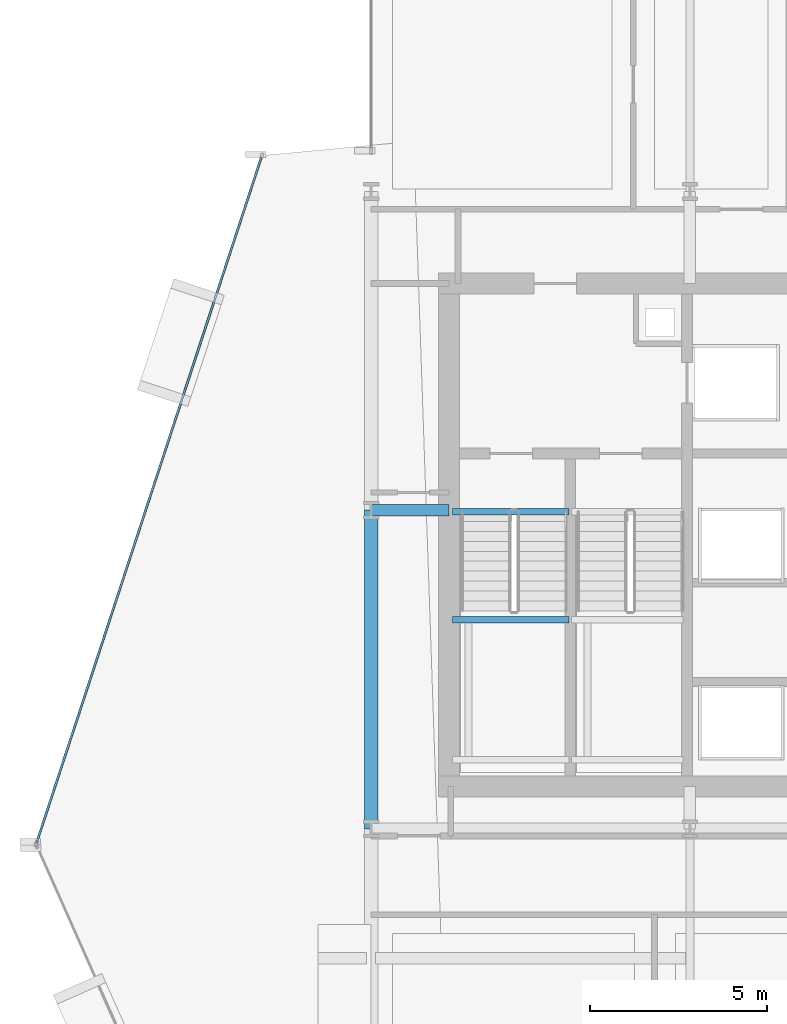
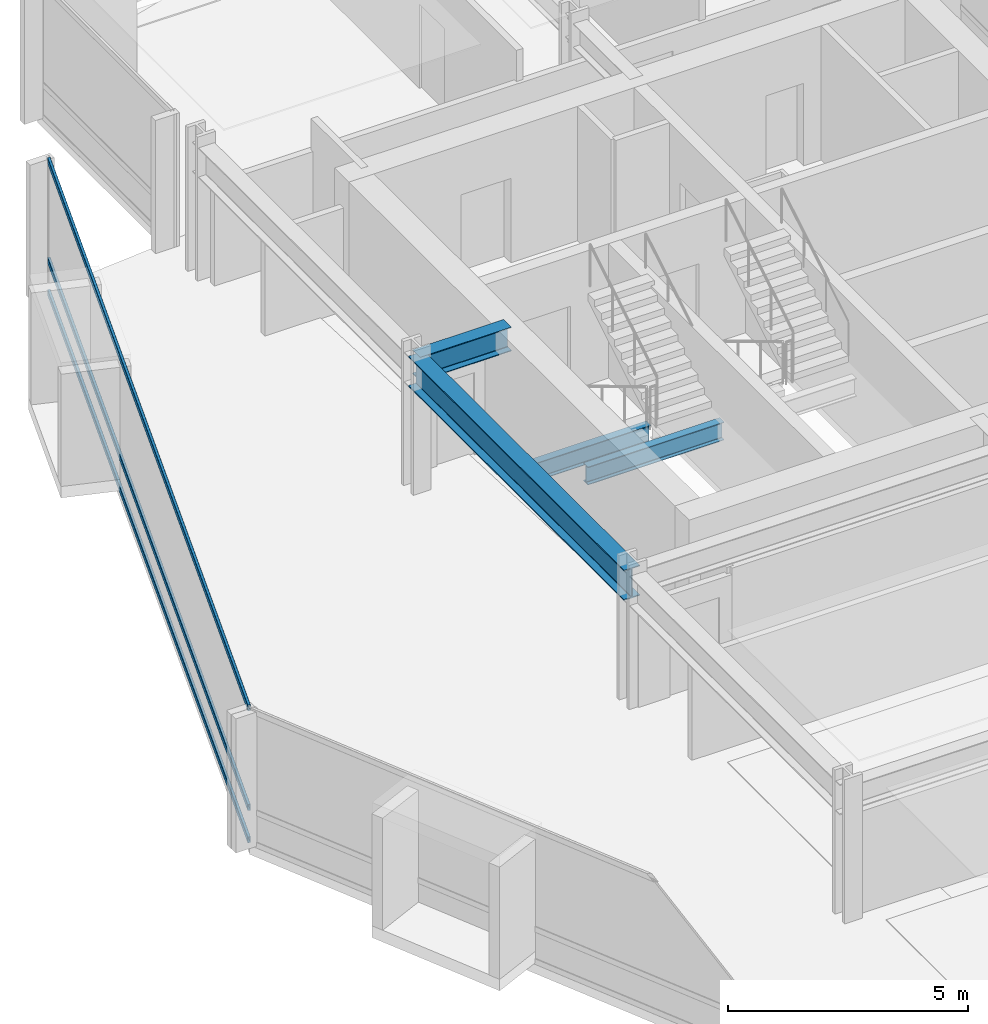
# One storey, part 18 of 34: 4 beams, 3 members, 1 element without a shape of its own.
"""IFC4 building model written with IfcOpenShell, lengths in metres."""

from ifc_helpers import new_model, si_unit, direction, frame, origin, origin_2d, place, context, subcontext, project, spatial, hollow_rectangle, i_section, extrude, material, layer, layer_set, material_profile, profile_set, type_object, element, aggregate, save


model = new_model("IFC4")

# Units and contexts
model_context = context("Model", 3, precision=1e-05, world=origin(), true_north=direction((0.0, 1.0)))
body_context = subcontext(model_context, "Body", "Model", "MODEL_VIEW")
ifc_project = project(units=[si_unit("LENGTHUNIT", "METRE"), si_unit("AREAUNIT", "SQUARE_METRE"), si_unit("VOLUMEUNIT", "CUBIC_METRE"), si_unit("PLANEANGLEUNIT", "RADIAN"), si_unit("MASSUNIT", "GRAM", prefix="KILO")], contexts=[model_context])

# Site, building, storey
site_placement = place(None, origin())
site = spatial("IfcSite", under=ifc_project, at=site_placement, CompositionType="ELEMENT")
building_placement = place(site_placement, origin())
building = spatial("IfcBuilding", under=site, at=building_placement, Name="Solvaryn Broadcast Tower", CompositionType="ELEMENT")
storey_placement = place(building_placement, frame((0.0, 0.0, 50.800048828125)))
storey = spatial("IfcBuildingStorey", under=building, at=storey_placement, Name="L11", CompositionType="ELEMENT", Elevation=50.800048828125)

# Beams
ifc_material_1 = material(Name="Steel ASTM A992 Grade 50", Category="steel")
ifc_material_profile_1 = material_profile(ifc_material_1, i_section(OverallWidth=0.323974609375, OverallDepth=0.611083984375, WebThickness=0.0126953125, FlangeThickness=0.01904296875, FilletRadius=0.014892578125, at=origin_2d()))
ifc_profile_set_1 = profile_set([ifc_material_profile_1], Name="Steel ASTM A992 Grade 50")
beam_type_1 = type_object("IfcBeamType", Name="BM-B1-W24X104", PredefinedType="BEAM", material=ifc_profile_set_1)
beam_1_placement = place(storey_placement, frame((9.0, 36.0, 3.114501953125), z_axis=(1.0, 0.0, 0.0), x_axis=(0.0, 1.0, 0.0)))
element("IfcBeam", 1, at=beam_1_placement, inside=storey, type_object=beam_type_1, Name="L11 Core Tie Beam CTW1", PredefinedType="BEAM", context=body_context, shape_type="SweptSolid", body=[
    extrude(i_section(OverallWidth=0.323974609375, OverallDepth=0.611083984375, WebThickness=0.0126953125, FlangeThickness=0.01904296875, FilletRadius=0.014892578125, at=origin_2d()), origin(), (0.0, 0.0, 1.0), 2.199951171875),
])
ifc_material_2 = material(Name="Steel ASTM A992 Grade 50", Category="steel")
ifc_material_profile_2 = material_profile(ifc_material_2, i_section(OverallWidth=0.18994140625, OverallDepth=0.45703125, WebThickness=0.009033203125, FlangeThickness=0.014404296875, FilletRadius=0.011962890625, at=origin_2d()))
ifc_profile_set_2 = profile_set([ifc_material_profile_2], Name="Steel ASTM A992 Grade 50")
beam_type_2 = type_object("IfcBeamType", Name="BM-B4-W18X50", PredefinedType="BEAM", material=ifc_profile_set_2)
for number, where, z_axis, x_axis, name in (
    (2, (11.300048828125, 35.9599609375, -0.508544921875), (1.0, 0.0, 0.0), (0.0, 1.0, 0.0), "L11 ST1 Stair Well Trimmer Beam"),
    (3, (11.300048828125, 32.909912109375, 1.42138671875), (1.0, 0.0, 0.0), (0.0, 1.0, 0.0), "L11 ST1 Landing Support Beam 1B"),
):
    element("IfcBeam", number, at=place(storey_placement, frame(where, z_axis=z_axis, x_axis=x_axis)), inside=storey, type_object=beam_type_2, Name=name, PredefinedType="BEAM", context=body_context, shape_type="SweptSolid", body=[
        extrude(i_section(OverallWidth=0.18994140625, OverallDepth=0.45703125, WebThickness=0.009033203125, FlangeThickness=0.014404296875, FilletRadius=0.011962890625, at=origin_2d()), origin(), (0.0, 0.0, 1.0), 3.280029296875),
    ])
ifc_material_3 = material(Name="Steel ASTM A992 Grade 50", Category="steel")
ifc_material_profile_3 = material_profile(ifc_material_3, i_section(OverallWidth=0.381103515625, OverallDepth=0.77294921875, WebThickness=0.0166015625, FlangeThickness=0.027099609375, FilletRadius=0.01806640625, at=origin_2d()))
ifc_profile_set_3 = profile_set([ifc_material_profile_3], Name="Steel ASTM A992 Grade 50")
beam_type_3 = type_object("IfcBeamType", Name="BM-SP1-W30X173", PredefinedType="USERDEFINED", material=ifc_profile_set_3)
beam_2_placement = place(storey_placement, frame((9.0, 27.0, 3.033447265625), z_axis=(0.0, 1.0, 0.0), x_axis=(-1.0, 0.0, 0.0)))
element("IfcBeam", 4, at=beam_2_placement, inside=storey, type_object=beam_type_3, Name="L11 Spandrel Beam Y (27-36 @ X=9)", ObjectType="SPANDREL", PredefinedType="USERDEFINED", context=body_context, shape_type="SweptSolid", body=[
    extrude(i_section(OverallWidth=0.381103515625, OverallDepth=0.77294921875, WebThickness=0.0166015625, FlangeThickness=0.027099609375, FilletRadius=0.01806640625, at=origin_2d()), origin(), (0.0, 0.0, 1.0), 9.0),
])

# Curtain wall, members
ifc_material_4 = material(Name="Aluminium and Terracotta Unitised Curtain Wall", Category="masonry")
ifc_layer = layer(ifc_material_4, 0.199951171875)
ifc_layer_set = layer_set([ifc_layer], Name="CW-SYS2-LOWMID")
curtain_wall_type = type_object("IfcCurtainWallType", Name="CW-SYS2-LOWMID", PredefinedType="NOTDEFINED", material=ifc_layer_set)
curtain_wall_placement = place(storey_placement, origin())
curtain_wall = element("IfcCurtainWall", 5, at=curtain_wall_placement, inside=storey, type_object=curtain_wall_type, Name="L11 Curtain Wall DR1", PredefinedType="NOTDEFINED")
ifc_material_5 = material(Name="Anodised Aluminium 6063-T6", Category="aluminium")
ifc_material_profile_4 = material_profile(ifc_material_5, hollow_rectangle(XDim=0.06494140625, YDim=0.14990234375, WallThickness=0.00390625, InnerFilletRadius=0.00390625, OuterFilletRadius=0.008056640625, at=origin_2d()))
ifc_profile_set_4 = profile_set([ifc_material_profile_4], Name="Anodised Aluminium 6063-T6")
member_type = type_object("IfcMemberType", Name="CW-TRN-150", PredefinedType="USERDEFINED", material=ifc_profile_set_4)
member_1_placement = place(storey_placement, frame((5.897216796875, 45.958984375, 0.030029296875), z_axis=(-0.311589549406, -0.950216792475, 0.0), x_axis=(0.950216792475, -0.311589549406, 0.0)))
member_1 = element("IfcMember", 6, at=member_1_placement, type_object=member_type, Name="CWS2 transom 1.1", ObjectType="TRANSOM", PredefinedType="USERDEFINED", context=body_context, shape_type="SweptSolid", body=[
    extrude(hollow_rectangle(XDim=0.06494140625, YDim=0.14990234375, WallThickness=0.00390625, InnerFilletRadius=0.00390625, OuterFilletRadius=0.008056640625, at=origin_2d()), origin(), (0.0, 0.0, 1.0), 20.35546875),
])
member_2_placement = place(storey_placement, frame((5.897216796875, 45.958984375, 0.849853515625), z_axis=(-0.311589549406, -0.950216792475, 0.0), x_axis=(0.950216792475, -0.311589549406, 0.0)))
member_2 = element("IfcMember", 7, at=member_2_placement, type_object=member_type, Name="CWS2 transom 1.2", ObjectType="TRANSOM", PredefinedType="USERDEFINED", context=body_context, shape_type="SweptSolid", body=[
    extrude(hollow_rectangle(XDim=0.06494140625, YDim=0.14990234375, WallThickness=0.00390625, InnerFilletRadius=0.00390625, OuterFilletRadius=0.008056640625, at=origin_2d()), origin(), (0.0, 0.0, 1.0), 20.35546875),
])
member_3_placement = place(storey_placement, frame((5.897216796875, 45.958984375, 3.389892578125), z_axis=(-0.311589549406, -0.950216792475, 0.0), x_axis=(0.950216792475, -0.311589549406, 0.0)))
member_3 = element("IfcMember", 8, at=member_3_placement, type_object=member_type, Name="CWS2 transom 1.3", ObjectType="TRANSOM", PredefinedType="USERDEFINED", context=body_context, shape_type="SweptSolid", body=[
    extrude(hollow_rectangle(XDim=0.06494140625, YDim=0.14990234375, WallThickness=0.00390625, InnerFilletRadius=0.00390625, OuterFilletRadius=0.008056640625, at=origin_2d()), origin(), (0.0, 0.0, 1.0), 20.35546875),
])
aggregate(curtain_wall, [member_1, member_2, member_3])

save(model, "model.ifc")
